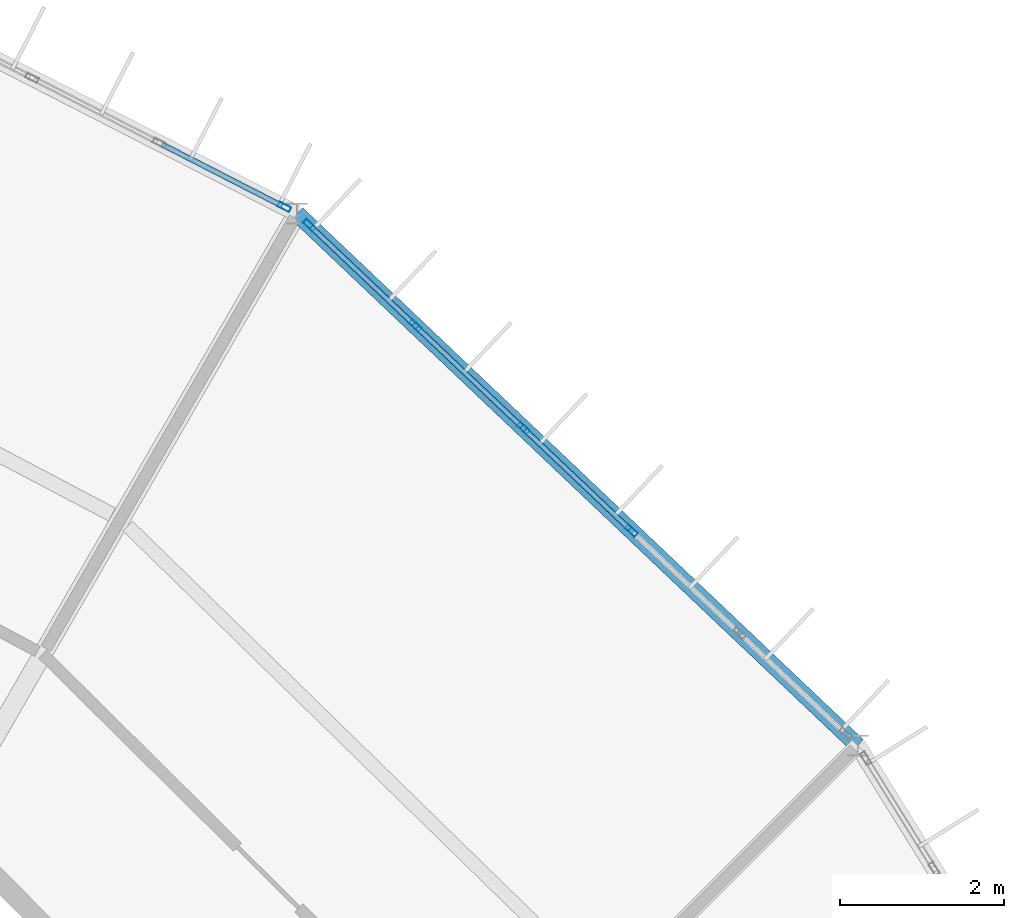
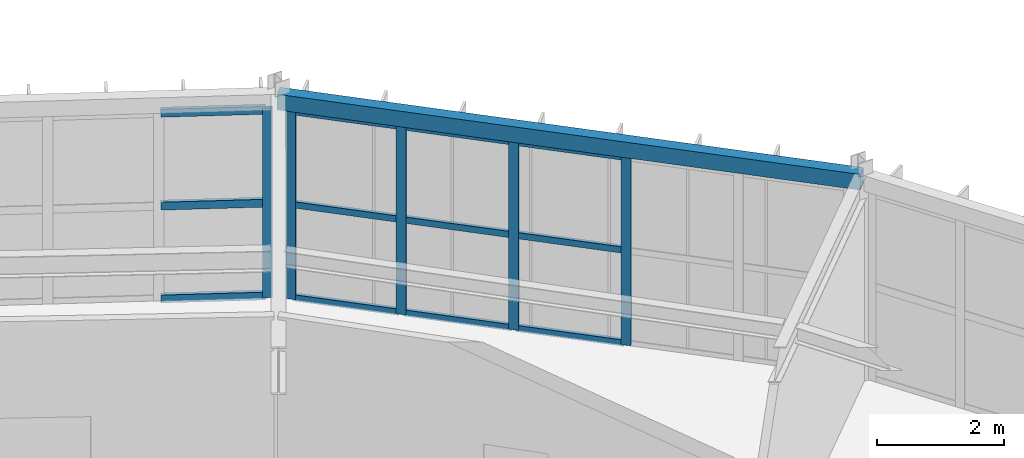
# One storey, part 80 of 130: 17 members, 1 beam, 2 elements without a shape of their own.
"""IFC4 building model written with IfcOpenShell, lengths in metres."""

from ifc_helpers import new_model, si_unit, direction, frame, origin, origin_2d, place, context, subcontext, project, spatial, hollow_rectangle, extrude, material, material_profile, profile_set, type_object, element, aggregate, save


model = new_model("IFC4")

# Units and contexts
model_context = context("Model", 3, precision=1e-05, world=origin(), true_north=direction((0.0, 1.0)))
body_context = subcontext(model_context, "Body", "Model", "MODEL_VIEW")
ifc_project = project(units=[si_unit("LENGTHUNIT", "METRE"), si_unit("AREAUNIT", "SQUARE_METRE"), si_unit("VOLUMEUNIT", "CUBIC_METRE"), si_unit("PLANEANGLEUNIT", "RADIAN"), si_unit("MASSUNIT", "GRAM", prefix="KILO")], contexts=[model_context])

# Site, building, storey
site_placement = place(None, origin())
site = spatial("IfcSite", under=ifc_project, at=site_placement, CompositionType="ELEMENT")
building_placement = place(site_placement, origin())
building = spatial("IfcBuilding", under=site, at=building_placement, Name="Karori Crest Natural Sciences Institute", CompositionType="ELEMENT")
storey_placement = place(building_placement, frame((0.0, 0.0, 17.5)))
storey = spatial("IfcBuildingStorey", under=building, at=storey_placement, Name="L04", CompositionType="ELEMENT", Elevation=17.5)

# Beam
ifc_material_1 = material(Name="Hollow structural steel AS/NZS 1163 Grade C350", Category="steel")
ifc_material_profile_1 = material_profile(ifc_material_1, hollow_rectangle(XDim=0.199951171875, YDim=0.300048828125, WallThickness=0.010009765625, at=origin_2d()), Name="RHS300x200x10")
ifc_profile_set_1 = profile_set([ifc_material_profile_1], Name="Hollow structural steel AS/NZS 1163 Grade C350")
beam_type = type_object("IfcBeamType", Name="BT-15", PredefinedType="SPANDREL", material=ifc_profile_set_1)
beam_placement = place(storey_placement, frame((89.734619140625, 78.75, 3.7900390625), z_axis=(-0.725481282589, 0.688241896874, 0.0), x_axis=(-0.688241896874, -0.725481282589, 0.0)))
element("IfcBeam", 1, at=beam_placement, inside=storey, type_object=beam_type, Name="Beam B-0461", PredefinedType="SPANDREL", context=body_context, shape_type="SweptSolid", body=[
    extrude(hollow_rectangle(XDim=0.199951171875, YDim=0.300048828125, WallThickness=0.010009765625, at=origin_2d()), origin(), (0.0, 0.0, 1.0), 9.4208984375),
])

# Curtain wall, members
ifc_material_2 = material(Name="Anodised architectural aluminium 6063-T6", Category="aluminium")
curtain_wall_type_1 = type_object("IfcCurtainWallType", Name="CWT-04", PredefinedType="NOTDEFINED", material=ifc_material_2)
curtain_wall_1_placement = place(storey_placement, origin())
curtain_wall_1 = element("IfcCurtainWall", 2, at=curtain_wall_1_placement, inside=storey, type_object=curtain_wall_type_1, Name="Curtain wall CW-0141", PredefinedType="NOTDEFINED")
ifc_material_profile_2 = material_profile(ifc_material_2, hollow_rectangle(XDim=0.06494140625, YDim=0.159912109375, WallThickness=0.00390625, at=origin_2d()), Name="CWM160x65x4")
ifc_profile_set_2 = profile_set([ifc_material_profile_2], Name="Anodised architectural aluminium 6063-T6")
member_type_1 = type_object("IfcMemberType", Name="CWM-01", PredefinedType="MULLION", material=ifc_profile_set_2)
member_1_placement = place(storey_placement, frame((83.049072265625, 85.09228515625, 0.0), z_axis=(0.0, 0.0, 1.0), x_axis=(0.688252251648, 0.725471459192, 0.0)))
member_1 = element("IfcMember", 3, at=member_1_placement, type_object=member_type_1, Name="CW-0141 mullion 1", PredefinedType="MULLION", context=body_context, shape_type="SweptSolid", body=[
    extrude(hollow_rectangle(XDim=0.06494140625, YDim=0.159912109375, WallThickness=0.00390625, at=origin_2d()), origin(), (0.0, 0.0, 1.0), 3.625),
])
member_2_placement = place(storey_placement, frame((84.342041015625, 83.86572265625, 0.0), z_axis=(0.0, 0.0, 1.0), x_axis=(0.688252251648, 0.725471459192, 0.0)))
member_2 = element("IfcMember", 4, at=member_2_placement, type_object=member_type_1, Name="CW-0141 mullion 2", PredefinedType="MULLION", context=body_context, shape_type="SweptSolid", body=[
    extrude(hollow_rectangle(XDim=0.06494140625, YDim=0.159912109375, WallThickness=0.00390625, at=origin_2d()), origin(), (0.0, 0.0, 1.0), 3.625),
])
member_3_placement = place(storey_placement, frame((85.658447265625, 82.61669921875, 0.0), z_axis=(0.0, 0.0, 1.0), x_axis=(0.688252251648, 0.725471459192, 0.0)))
member_3 = element("IfcMember", 5, at=member_3_placement, type_object=member_type_1, Name="CW-0141 mullion 3", PredefinedType="MULLION", context=body_context, shape_type="SweptSolid", body=[
    extrude(hollow_rectangle(XDim=0.06494140625, YDim=0.159912109375, WallThickness=0.00390625, at=origin_2d()), origin(), (0.0, 0.0, 1.0), 3.625),
])
member_4_placement = place(storey_placement, frame((86.97509765625, 81.367919921875, 0.0), z_axis=(0.0, 0.0, 1.0), x_axis=(0.688252251648, 0.725471459192, 0.0)))
member_4 = element("IfcMember", 6, at=member_4_placement, type_object=member_type_1, Name="CW-0141 mullion 4", PredefinedType="MULLION", context=body_context, shape_type="SweptSolid", body=[
    extrude(hollow_rectangle(XDim=0.06494140625, YDim=0.159912109375, WallThickness=0.00390625, at=origin_2d()), origin(), (0.0, 0.0, 1.0), 3.625),
])

# Curtain wall, member
curtain_wall_type_2 = type_object("IfcCurtainWallType", Name="CWT-05", PredefinedType="NOTDEFINED", material=ifc_material_2)
curtain_wall_2_placement = place(storey_placement, origin())
curtain_wall_2 = element("IfcCurtainWall", 7, at=curtain_wall_2_placement, inside=storey, type_object=curtain_wall_type_2, Name="Curtain wall CW-0142", PredefinedType="NOTDEFINED")
member_5_placement = place(storey_placement, frame((82.745849609375, 85.312744140625, 0.0), z_axis=(0.0, 0.0, 1.0), x_axis=(0.455828878252, 0.890067432138, 0.0)))
member_5 = element("IfcMember", 8, at=member_5_placement, type_object=member_type_1, Name="CW-0142 mullion 6", PredefinedType="MULLION", context=body_context, shape_type="SweptSolid", body=[
    extrude(hollow_rectangle(XDim=0.06494140625, YDim=0.159912109375, WallThickness=0.00390625, at=origin_2d()), origin(), (0.0, 0.0, 1.0), 3.625),
])

# Member
ifc_material_profile_3 = material_profile(ifc_material_2, hollow_rectangle(XDim=0.06005859375, YDim=0.1201171875, WallThickness=0.00390625, at=origin_2d()), Name="CWT120x60x4")
ifc_profile_set_3 = profile_set([ifc_material_profile_3], Name="Anodised architectural aluminium 6063-T6")
member_type_2 = type_object("IfcMemberType", Name="CWT-TR1", PredefinedType="USERDEFINED", material=ifc_profile_set_3)
member_6_placement = place(storey_placement, frame((83.07275390625, 85.070068359375, 0.030029296875), z_axis=(0.725485539939, -0.68823740914, 0.0), x_axis=(0.68823740914, 0.725485539939, 0.0)))
member_6 = element("IfcMember", 9, at=member_6_placement, type_object=member_type_2, Name="CW-0141 transom 1.1", ObjectType="TRANSOM", PredefinedType="USERDEFINED", context=body_context, shape_type="SweptSolid", body=[
    extrude(hollow_rectangle(XDim=0.06005859375, YDim=0.1201171875, WallThickness=0.00390625, at=origin_2d()), origin(), (0.0, 0.0, 1.0), 1.71728515625),
])

member_7_placement = place(storey_placement, frame((83.07275390625, 85.070068359375, 1.8125), z_axis=(0.725485539939, -0.68823740914, 0.0), x_axis=(0.68823740914, 0.725485539939, 0.0)))
member_7 = element("IfcMember", 10, at=member_7_placement, type_object=member_type_2, Name="CW-0141 transom 1.2", ObjectType="TRANSOM", PredefinedType="USERDEFINED", context=body_context, shape_type="SweptSolid", body=[
    extrude(hollow_rectangle(XDim=0.06005859375, YDim=0.1201171875, WallThickness=0.00390625, at=origin_2d()), origin(), (0.0, 0.0, 1.0), 1.71728515625),
])

member_8_placement = place(storey_placement, frame((83.07275390625, 85.070068359375, 3.594970703125), z_axis=(0.725485539939, -0.68823740914, 0.0), x_axis=(0.68823740914, 0.725485539939, 0.0)))
member_8 = element("IfcMember", 11, at=member_8_placement, type_object=member_type_2, Name="CW-0141 transom 1.3", ObjectType="TRANSOM", PredefinedType="USERDEFINED", context=body_context, shape_type="SweptSolid", body=[
    extrude(hollow_rectangle(XDim=0.06005859375, YDim=0.1201171875, WallThickness=0.00390625, at=origin_2d()), origin(), (0.0, 0.0, 1.0), 1.71728515625),
])

member_9_placement = place(storey_placement, frame((84.36572265625, 83.843505859375, 0.030029296875), z_axis=(0.725420823959, -0.688305621194, 0.0), x_axis=(0.688305621194, 0.725420823959, 0.0)))
member_9 = element("IfcMember", 12, at=member_9_placement, type_object=member_type_2, Name="CW-0141 transom 2.1", ObjectType="TRANSOM", PredefinedType="USERDEFINED", context=body_context, shape_type="SweptSolid", body=[
    extrude(hollow_rectangle(XDim=0.06005859375, YDim=0.1201171875, WallThickness=0.00390625, at=origin_2d()), origin(), (0.0, 0.0, 1.0), 1.749755859375),
])

member_10_placement = place(storey_placement, frame((84.36572265625, 83.843505859375, 1.8125), z_axis=(0.725420823959, -0.688305621194, 0.0), x_axis=(0.688305621194, 0.725420823959, 0.0)))
member_10 = element("IfcMember", 13, at=member_10_placement, type_object=member_type_2, Name="CW-0141 transom 2.2", ObjectType="TRANSOM", PredefinedType="USERDEFINED", context=body_context, shape_type="SweptSolid", body=[
    extrude(hollow_rectangle(XDim=0.06005859375, YDim=0.1201171875, WallThickness=0.00390625, at=origin_2d()), origin(), (0.0, 0.0, 1.0), 1.749755859375),
])

member_11_placement = place(storey_placement, frame((84.36572265625, 83.843505859375, 3.594970703125), z_axis=(0.725420823959, -0.688305621194, 0.0), x_axis=(0.688305621194, 0.725420823959, 0.0)))
member_11 = element("IfcMember", 14, at=member_11_placement, type_object=member_type_2, Name="CW-0141 transom 2.3", ObjectType="TRANSOM", PredefinedType="USERDEFINED", context=body_context, shape_type="SweptSolid", body=[
    extrude(hollow_rectangle(XDim=0.06005859375, YDim=0.1201171875, WallThickness=0.00390625, at=origin_2d()), origin(), (0.0, 0.0, 1.0), 1.749755859375),
])

member_12_placement = place(storey_placement, frame((85.68212890625, 82.594482421875, 0.030029296875), z_axis=(0.725420823959, -0.688305621194, 0.0), x_axis=(0.688305621194, 0.725420823959, 0.0)))
member_12 = element("IfcMember", 15, at=member_12_placement, type_object=member_type_2, Name="CW-0141 transom 3.1", ObjectType="TRANSOM", PredefinedType="USERDEFINED", context=body_context, shape_type="SweptSolid", body=[
    extrude(hollow_rectangle(XDim=0.06005859375, YDim=0.1201171875, WallThickness=0.00390625, at=origin_2d()), origin(), (0.0, 0.0, 1.0), 1.749755859375),
])

member_13_placement = place(storey_placement, frame((85.68212890625, 82.594482421875, 1.8125), z_axis=(0.725420823959, -0.688305621194, 0.0), x_axis=(0.688305621194, 0.725420823959, 0.0)))
member_13 = element("IfcMember", 16, at=member_13_placement, type_object=member_type_2, Name="CW-0141 transom 3.2", ObjectType="TRANSOM", PredefinedType="USERDEFINED", context=body_context, shape_type="SweptSolid", body=[
    extrude(hollow_rectangle(XDim=0.06005859375, YDim=0.1201171875, WallThickness=0.00390625, at=origin_2d()), origin(), (0.0, 0.0, 1.0), 1.749755859375),
])

member_14_placement = place(storey_placement, frame((85.68212890625, 82.594482421875, 3.594970703125), z_axis=(0.725420823959, -0.688305621194, 0.0), x_axis=(0.688305621194, 0.725420823959, 0.0)))
member_14 = element("IfcMember", 17, at=member_14_placement, type_object=member_type_2, Name="CW-0141 transom 3.3", ObjectType="TRANSOM", PredefinedType="USERDEFINED", context=body_context, shape_type="SweptSolid", body=[
    extrude(hollow_rectangle(XDim=0.06005859375, YDim=0.1201171875, WallThickness=0.00390625, at=origin_2d()), origin(), (0.0, 0.0, 1.0), 1.749755859375),
])

aggregate(curtain_wall_1, [member_1, member_2, member_3, member_4, member_6, member_7, member_8, member_9, member_10, member_11, member_12, member_13, member_14])

ifc_material_profile_4 = material_profile(ifc_material_2, hollow_rectangle(XDim=0.06494140625, YDim=0.14990234375, WallThickness=0.00390625, at=origin_2d()), Name="CWT150x65x4")
ifc_profile_set_4 = profile_set([ifc_material_profile_4], Name="Anodised architectural aluminium 6063-T6")
member_type_3 = type_object("IfcMemberType", Name="CWT-TR2", PredefinedType="USERDEFINED", material=ifc_profile_set_4)
member_15_placement = place(storey_placement, frame((81.251953125, 86.077880859375, 0.032470703125), z_axis=(0.890084461025, -0.455795625518, 0.0), x_axis=(0.455795625518, 0.890084461025, 0.0)))
member_15 = element("IfcMember", 18, at=member_15_placement, type_object=member_type_3, Name="CW-0142 transom 5.1", ObjectType="TRANSOM", PredefinedType="USERDEFINED", context=body_context, shape_type="SweptSolid", body=[
    extrude(hollow_rectangle(XDim=0.06494140625, YDim=0.14990234375, WallThickness=0.00390625, at=origin_2d()), origin(), (0.0, 0.0, 1.0), 1.64599609375),
])

member_16_placement = place(storey_placement, frame((81.251953125, 86.077880859375, 1.8125), z_axis=(0.890084461025, -0.455795625518, 0.0), x_axis=(0.455795625518, 0.890084461025, 0.0)))
member_16 = element("IfcMember", 19, at=member_16_placement, type_object=member_type_3, Name="CW-0142 transom 5.2", ObjectType="TRANSOM", PredefinedType="USERDEFINED", context=body_context, shape_type="SweptSolid", body=[
    extrude(hollow_rectangle(XDim=0.06494140625, YDim=0.14990234375, WallThickness=0.00390625, at=origin_2d()), origin(), (0.0, 0.0, 1.0), 1.64599609375),
])

member_17_placement = place(storey_placement, frame((81.251953125, 86.077880859375, 3.592529296875), z_axis=(0.890084461025, -0.455795625518, 0.0), x_axis=(0.455795625518, 0.890084461025, 0.0)))
member_17 = element("IfcMember", 20, at=member_17_placement, type_object=member_type_3, Name="CW-0142 transom 5.3", ObjectType="TRANSOM", PredefinedType="USERDEFINED", context=body_context, shape_type="SweptSolid", body=[
    extrude(hollow_rectangle(XDim=0.06494140625, YDim=0.14990234375, WallThickness=0.00390625, at=origin_2d()), origin(), (0.0, 0.0, 1.0), 1.64599609375),
])

aggregate(curtain_wall_2, [member_5, member_15, member_16, member_17])

save(model, "model.ifc")
